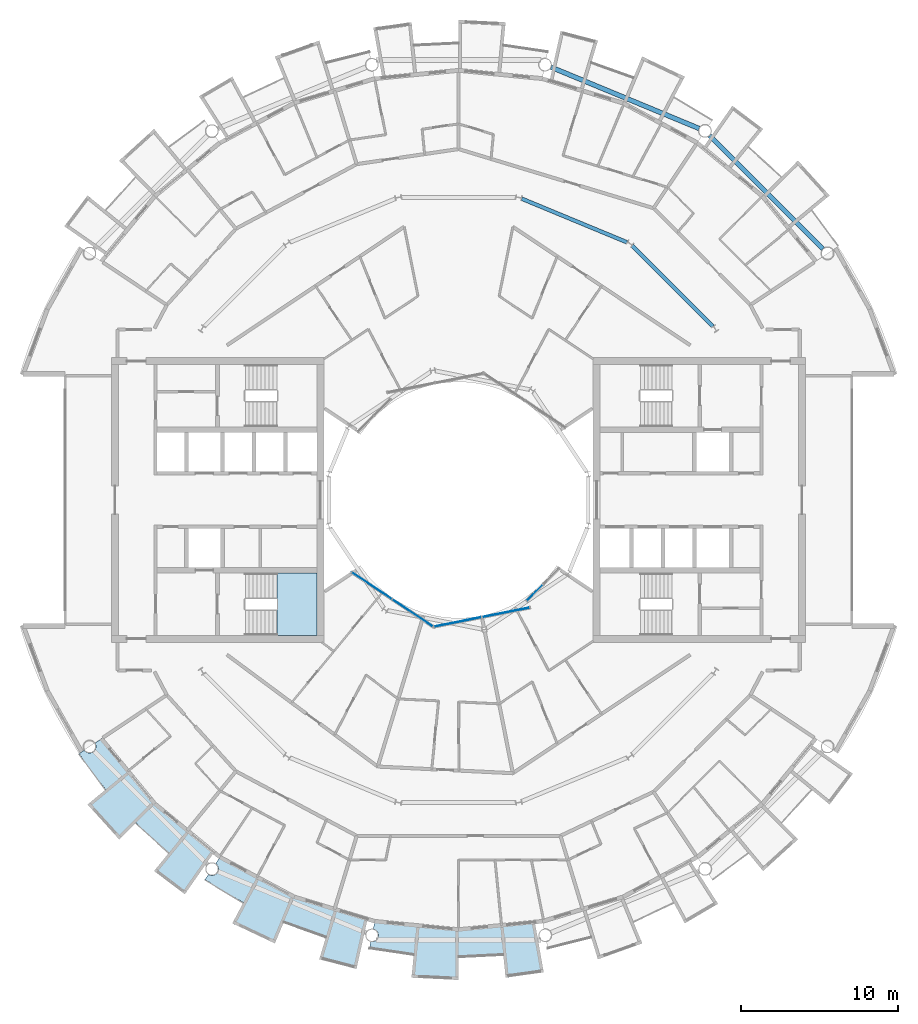
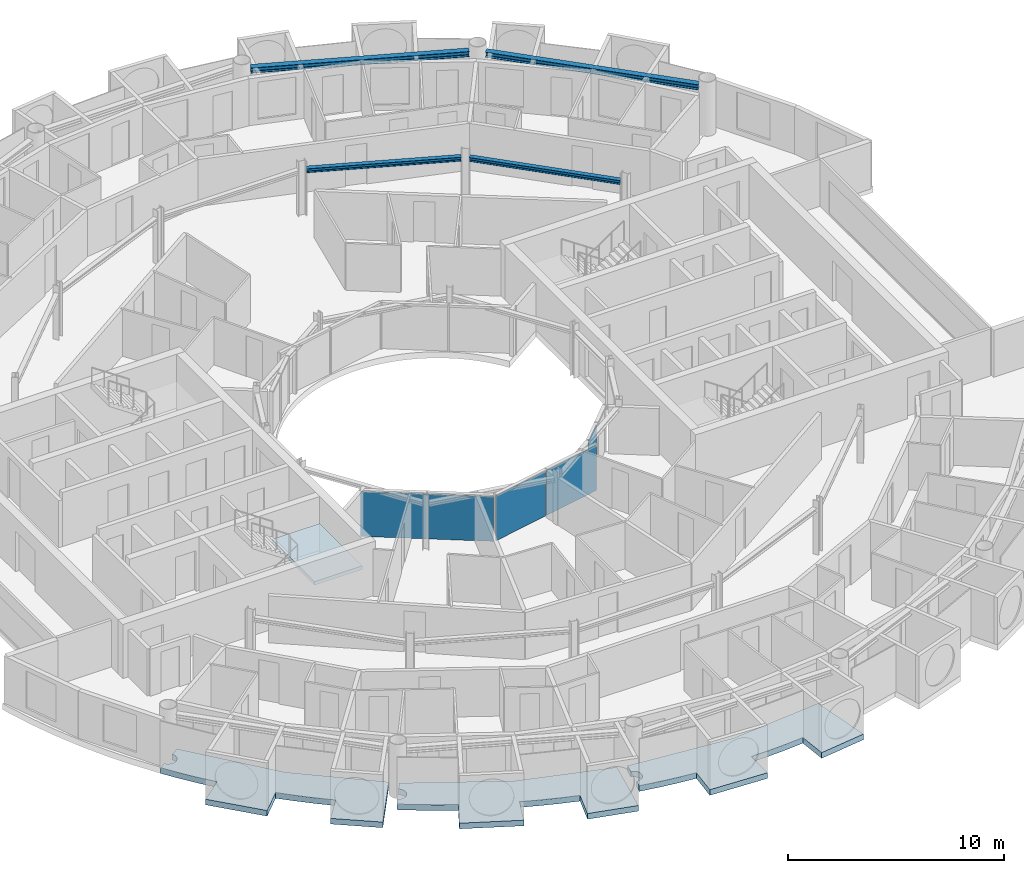
# One storey, part 11 of 28: 5 plates, 4 beams, 4 slabs, 4 elements without a shape of their own.
"""IFC4 building model written with IfcOpenShell, lengths in metres."""

from ifc_helpers import new_model, si_unit, direction, frame, origin, origin_2d, place, context, subcontext, project, spatial, polyline, rectangle, i_section, outline, extrude, material, layer, layer_set, material_profile, profile_set, type_object, element, aggregate, save


model = new_model("IFC4")

# Units and contexts
model_context = context("Model", 3, precision=1e-05, world=origin(), true_north=direction((0.0, 1.0)))
body_context = subcontext(model_context, "Body", "Model", "MODEL_VIEW")
ifc_project = project(units=[si_unit("LENGTHUNIT", "METRE"), si_unit("AREAUNIT", "SQUARE_METRE"), si_unit("VOLUMEUNIT", "CUBIC_METRE"), si_unit("PLANEANGLEUNIT", "RADIAN"), si_unit("MASSUNIT", "GRAM", prefix="KILO")], contexts=[model_context])

# Site, building, storey
site_placement = place(None, origin())
site = spatial("IfcSite", under=ifc_project, at=site_placement, CompositionType="ELEMENT")
building_placement = place(site_placement, origin())
building = spatial("IfcBuilding", under=site, at=building_placement, Name="Maasbend Ring Residences", CompositionType="ELEMENT")
storey_placement = place(building_placement, frame((0.0, 0.0, 218.800048828125)))
storey = spatial("IfcBuildingStorey", under=building, at=storey_placement, Name="L63", CompositionType="ELEMENT", Elevation=218.800048828125)

# Beams
ifc_material_1 = material(Name="Steel S355J2", Category="steel")
ifc_material_profile_1 = material_profile(ifc_material_1, i_section(OverallWidth=0.239990234375, OverallDepth=0.22998046875, WebThickness=0.007568359375, FlangeThickness=0.011962890625, FilletRadius=0.02099609375, at=origin_2d()), Name="HEA 240")
ifc_profile_set_1 = profile_set([ifc_material_profile_1], Name="Steel S355J2")
beam_type_1 = type_object("IfcBeamType", Name="Corridor ring beam HEA 240", PredefinedType="BEAM", material=ifc_profile_set_1)
beam_1_placement = place(storey_placement, frame((16.152587890625, 11.033447265625, 2.534912109375), z_axis=(-0.707106781187, 0.707106781187, 0.0), x_axis=(-0.707106781187, -0.707106781187, 0.0)))
element("IfcBeam", 1, at=beam_1_placement, inside=storey, type_object=beam_type_1, Name="Corridor ring beam", PredefinedType="BEAM", context=body_context, shape_type="SweptSolid", body=[
    extrude(i_section(OverallWidth=0.239990234375, OverallDepth=0.22998046875, WebThickness=0.007568359375, FlangeThickness=0.011962890625, FilletRadius=0.02099609375, at=origin_2d()), origin(), (0.0, 0.0, 1.0), 7.239501953125),
])
beam_2_placement = place(storey_placement, frame((10.70068359375, 16.374755859375, 2.534912109375), z_axis=(-0.923865162022, 0.382718123952, 0.0), x_axis=(-0.382718123952, -0.923865162022, 0.0)))
element("IfcBeam", 2, at=beam_2_placement, inside=storey, type_object=beam_type_1, Name="Corridor ring beam", PredefinedType="BEAM", context=body_context, shape_type="SweptSolid", body=[
    extrude(i_section(OverallWidth=0.239990234375, OverallDepth=0.22998046875, WebThickness=0.007568359375, FlangeThickness=0.011962890625, FilletRadius=0.02099609375, at=origin_2d()), origin(), (0.0, 0.0, 1.0), 7.23974609375),
])
ifc_material_2 = material(Name="Steel S355J2", Category="steel")
ifc_material_profile_2 = material_profile(ifc_material_2, i_section(OverallWidth=0.300048828125, OverallDepth=0.300048828125, WebThickness=0.010986328125, FlangeThickness=0.01904296875, FilletRadius=0.027099609375, at=origin_2d()), Name="HEB 300")
ifc_profile_set_2 = profile_set([ifc_material_profile_2], Name="Steel S355J2")
beam_type_2 = type_object("IfcBeamType", Name="Spandrel ring beam HEB 300", PredefinedType="SPANDREL", material=ifc_profile_set_2)
for number, where, z_axis, x_axis, name in (
    (3, (23.159912109375, 15.95458984375, 2.5), (-0.707106781187, 0.707106781187, 0.0), (-0.707106781187, -0.707106781187, 0.0), "Spandrel ring beam"),
    (4, (15.29150390625, 23.60302734375, 2.5), (-0.923883676188, 0.382673428492, 0.0), (-0.382673428492, -0.923883676188, 0.0), "Spandrel ring beam"),
):
    element("IfcBeam", number, at=place(storey_placement, frame(where, z_axis=z_axis, x_axis=x_axis)), inside=storey, type_object=beam_type_2, Name=name, PredefinedType="SPANDREL", context=body_context, shape_type="SweptSolid", body=[
        extrude(i_section(OverallWidth=0.300048828125, OverallDepth=0.300048828125, WebThickness=0.010986328125, FlangeThickness=0.01904296875, FilletRadius=0.027099609375, at=origin_2d()), origin(), (0.0, 0.0, 1.0), 10.18994140625),
    ])

# Stair, slab
ifc_material_3 = material(Name="Concrete C40/50", Category="concrete")
stair_type = type_object("IfcStairType", Name="CORE STAIR 18 RISERS", PredefinedType="HALF_TURN_STAIR", material=ifc_material_3)
stair_placement = place(storey_placement, origin())
stair = element("IfcStair", 5, at=stair_placement, inside=storey, type_object=stair_type, Name="L63 Exit stair ST-W1", PredefinedType="HALF_TURN_STAIR")
ifc_material_4 = material(Name="Concrete C40/50", Category="concrete")
ifc_layer_1 = layer(ifc_material_4, 0.199951171875)
ifc_layer_set_1 = layer_set([ifc_layer_1], Name="Concrete C40/50")
slab_type_1 = type_object("IfcSlabType", Name="CORE STAIR LANDING 200", PredefinedType="LANDING", material=ifc_layer_set_1)
slab_1_placement = place(storey_placement, frame((0.0, 0.0, 1.324951171875)))
slab_1 = element("IfcSlab", 6, at=slab_1_placement, type_object=slab_type_1, Name="ST-W1 landing 1", PredefinedType="LANDING", context=body_context, shape_type="SweptSolid", body=[
    extrude(outline(polyline([(-11.550048828125, -8.60009765625), (-9.0, -8.60009765625), (-9.0, -4.64990234375), (-11.550048828125, -4.64990234375), (-11.550048828125, -8.60009765625)])), origin(), (0.0, 0.0, 1.0), 0.199951171875),
])
aggregate(stair, [slab_1])

# Curtain wall, plates
ifc_material_5 = material(Name="Aluminium and clear glass", Category="aluminium")
ifc_layer_2 = layer(ifc_material_5, 0.179931640625)
ifc_layer_set_2 = layer_set([ifc_layer_2], Name="CW-W")
curtain_wall_type = type_object("IfcCurtainWallType", Name="CW-W", PredefinedType="NOTDEFINED", material=ifc_layer_set_2)
curtain_wall_1_placement = place(storey_placement, origin())
curtain_wall_1 = element("IfcCurtainWall", 7, at=curtain_wall_1_placement, inside=storey, type_object=curtain_wall_type, Name="Well curtain wall S1", PredefinedType="NOTDEFINED")
ifc_material_6 = material(Name="Glass clear laminated", Category="glass")
ifc_layer_3 = layer(ifc_material_6, 0.031982421875)
ifc_layer_set_3 = layer_set([ifc_layer_3], Name="CWP-W")
plate_type = type_object("IfcPlateType", Name="CWP-W", PredefinedType="CURTAIN_PANEL", material=ifc_layer_set_3)
plate_1_placement = place(storey_placement, frame((-5.51123046875, -5.44580078125, 0.0), z_axis=(0.0, 0.0, 1.0), x_axis=(0.831469612303, -0.55557023302, 0.0)))
plate_1 = element("IfcPlate", 8, at=plate_1_placement, type_object=plate_type, Name="Glass panel well face", PredefinedType="CURTAIN_PANEL", context=body_context, shape_type="SweptSolid", body=[
    extrude(rectangle(XDim=3.053955078125, YDim=0.031982421875, at=origin_2d()), origin(), (0.0, 0.0, 1.0), 2.530029296875),
])
plate_2_placement = place(storey_placement, frame((-2.922119140625, -7.17578125, 0.0), z_axis=(0.0, 0.0, 1.0), x_axis=(0.831469612303, -0.55557023302, 0.0)))
plate_2 = element("IfcPlate", 9, at=plate_2_placement, type_object=plate_type, Name="Glass panel well face", PredefinedType="CURTAIN_PANEL", context=body_context, shape_type="SweptSolid", body=[
    extrude(rectangle(XDim=3.053955078125, YDim=0.031982421875, at=origin_2d()), origin(), (0.0, 0.0, 1.0), 2.530029296875),
])
aggregate(curtain_wall_1, [plate_1, plate_2])

curtain_wall_2_placement = place(storey_placement, origin())
curtain_wall_2 = element("IfcCurtainWall", 10, at=curtain_wall_2_placement, inside=storey, type_object=curtain_wall_type, Name="Well curtain wall S2", PredefinedType="NOTDEFINED")
plate_3_placement = place(storey_placement, frame((-0.04638671875, -7.747802734375, 0.0), z_axis=(0.0, 0.0, 1.0), x_axis=(0.980785280403, 0.195090322016, 0.0)))
plate_3 = element("IfcPlate", 11, at=plate_3_placement, type_object=plate_type, Name="Glass panel well face", PredefinedType="CURTAIN_PANEL", context=body_context, shape_type="SweptSolid", body=[
    extrude(rectangle(XDim=3.053955078125, YDim=0.031982421875, at=origin_2d()), origin(), (0.0, 0.0, 1.0), 2.530029296875),
])
plate_4_placement = place(storey_placement, frame((3.0078125, -7.140380859375, 0.0), z_axis=(0.0, 0.0, 1.0), x_axis=(0.980785280403, 0.195090322016, 0.0)))
plate_4 = element("IfcPlate", 12, at=plate_4_placement, type_object=plate_type, Name="Glass panel well face", PredefinedType="CURTAIN_PANEL", context=body_context, shape_type="SweptSolid", body=[
    extrude(rectangle(XDim=3.053955078125, YDim=0.031982421875, at=origin_2d()), origin(), (0.0, 0.0, 1.0), 2.530029296875),
])
aggregate(curtain_wall_2, [plate_3, plate_4])

# Curtain wall, plate
curtain_wall_3_placement = place(storey_placement, origin())
curtain_wall_3 = element("IfcCurtainWall", 13, at=curtain_wall_3_placement, inside=storey, type_object=curtain_wall_type, Name="Well curtain wall S3", PredefinedType="NOTDEFINED")
plate_5_placement = place(storey_placement, frame((4.84375, -5.89013671875, 0.0), z_axis=(0.0, 0.0, 1.0), x_axis=(0.707106781187, 0.707106781187, 0.0)))
plate_5 = element("IfcPlate", 14, at=plate_5_placement, type_object=plate_type, Name="Glass panel well face", PredefinedType="CURTAIN_PANEL", context=body_context, shape_type="SweptSolid", body=[
    extrude(rectangle(XDim=1.419677734375, YDim=0.031982421875, at=origin_2d()), origin(), (0.0, 0.0, 1.0), 2.530029296875),
])
aggregate(curtain_wall_3, [plate_5])

# Slabs
ifc_material_7 = material(Name="Concrete C40/50", Category="concrete")
ifc_layer_4 = layer(ifc_material_7, 0.199951171875)
ifc_layer_set_4 = layer_set([ifc_layer_4], Name="Concrete C40/50")
slab_type_2 = type_object("IfcSlabType", Name="SL-LOGGIA", PredefinedType="FLOOR", material=ifc_layer_set_4)
slab_2_placement = place(storey_placement, frame((0.0, 0.0, -0.35009765625)))
element("IfcSlab", 15, at=slab_2_placement, inside=storey, type_object=slab_type_2, Name="Loggia floor 1", PredefinedType="FLOOR", context=body_context, shape_type="SweptSolid", body=[
    extrude(outline(polyline([(-15.866943359375, -23.801025390625), (-15.85888671875, -23.805908203125), (-15.85009765625, -23.81005859375), (-15.841064453125, -23.81494140625), (-15.83203125, -23.819091796875), (-15.822998046875, -23.822998046875), (-15.81298828125, -23.826904296875), (-15.803955078125, -23.830078125), (-15.794921875, -23.8330078125), (-15.784912109375, -23.8359375), (-15.77587890625, -23.839111328125), (-15.76611328125, -23.842041015625), (-15.756103515625, -23.843994140625), (-15.74609375, -23.845947265625), (-15.737060546875, -23.847900390625), (-15.72705078125, -23.85009765625), (-15.717041015625, -23.85107421875), (-15.70703125, -23.85205078125), (-15.697021484375, -23.85302734375), (-15.68701171875, -23.85302734375), (-15.677001953125, -23.85400390625), (-15.6669921875, -23.85400390625), (-15.656982421875, -23.85400390625), (-15.64697265625, -23.85302734375), (-15.636962890625, -23.85302734375), (-15.626953125, -23.85205078125), (-15.616943359375, -23.85107421875), (-15.60693359375, -23.85009765625), (-15.597900390625, -23.847900390625), (-15.587890625, -23.845947265625), (-15.577880859375, -23.843994140625), (-15.568115234375, -23.842041015625), (-15.55908203125, -23.839111328125), (-15.549072265625, -23.8359375), (-15.5400390625, -23.8330078125), (-15.530029296875, -23.830078125), (-15.52099609375, -23.826904296875), (-15.511962890625, -23.822998046875), (-15.501953125, -23.819091796875), (-15.492919921875, -23.81494140625), (-15.48388671875, -23.81005859375), (-15.47509765625, -23.805908203125), (-15.467041015625, -23.801025390625), (-15.4580078125, -23.7958984375), (-15.449951171875, -23.791015625), (-15.44091796875, -23.784912109375), (-15.43310546875, -23.780029296875), (-15.425048828125, -23.77392578125), (-15.4169921875, -23.76806640625), (-15.408935546875, -23.761962890625), (-15.402099609375, -23.7548828125), (-15.39404296875, -23.7490234375), (-15.386962890625, -23.741943359375), (-15.3798828125, -23.735107421875), (-15.373046875, -23.72802734375), (-15.365966796875, -23.719970703125), (-15.35888671875, -23.712890625), (-15.35302734375, -23.705078125), (-15.346923828125, -23.697021484375), (-15.341064453125, -23.68994140625), (-15.3349609375, -23.680908203125), (-15.3291015625, -23.673095703125), (-15.323974609375, -23.6650390625), (-15.318115234375, -23.656005859375), (-15.31298828125, -23.64794921875), (-15.30908203125, -23.638916015625), (-15.303955078125, -23.6298828125), (-15.300048828125, -23.62109375), (-15.294921875, -23.612060546875), (-15.2919921875, -23.60302734375), (-15.2880859375, -23.593994140625), (-15.283935546875, -23.583984375), (-15.281005859375, -23.574951171875), (-15.278076171875, -23.56494140625), (-15.27490234375, -23.555908203125), (-15.27294921875, -23.5458984375), (-15.27001953125, -23.535888671875), (-15.26806640625, -23.527099609375), (-15.26708984375, -23.51708984375), (-15.264892578125, -23.507080078125), (-15.263916015625, -23.4970703125), (-15.262939453125, -23.487060546875), (-15.261962890625, -23.47705078125), (-15.260986328125, -23.467041015625), (-15.260986328125, -23.45703125), (-15.260986328125, -23.447021484375), (-15.260986328125, -23.43701171875), (-15.260986328125, -23.427001953125), (-15.261962890625, -23.4169921875), (-15.262939453125, -23.407958984375), (-15.263916015625, -23.39794921875), (-15.264892578125, -23.387939453125), (-15.26708984375, -23.3779296875), (-15.26806640625, -23.367919921875), (-15.27001953125, -23.35791015625), (-15.27294921875, -23.34912109375), (-15.27490234375, -23.339111328125), (-15.278076171875, -23.3291015625), (-15.281005859375, -23.320068359375), (-15.283935546875, -23.31005859375), (-15.2880859375, -23.301025390625), (-15.2919921875, -23.2919921875), (-15.294921875, -23.282958984375), (-15.300048828125, -23.27392578125), (-15.303955078125, -23.264892578125), (-15.30908203125, -23.256103515625), (-15.31298828125, -23.2470703125), (-15.318115234375, -23.238037109375), (-15.323974609375, -23.22998046875), (-15.3291015625, -23.221923828125), (-15.3349609375, -23.212890625), (-15.341064453125, -23.205078125), (-15.346923828125, -23.197021484375), (-15.35302734375, -23.18994140625), (-15.35888671875, -23.181884765625), (-15.365966796875, -23.174072265625), (-15.373046875, -23.1669921875), (-15.3798828125, -23.159912109375), (-15.386962890625, -23.153076171875), (-15.39404296875, -23.14599609375), (-15.402099609375, -23.139892578125), (-15.408935546875, -23.133056640625), (-15.4169921875, -23.126953125), (-15.425048828125, -23.12109375), (-15.43310546875, -23.114990234375), (-15.44091796875, -23.10888671875), (-15.1669921875, -22.698974609375), (-15.1669921875, -22.698974609375), (-15.1669921875, -22.698974609375), (-12.806884765625, -23.9609375), (-10.447021484375, -25.221923828125), (-10.447021484375, -25.221923828125), (-10.447021484375, -25.221923828125), (-7.886962890625, -25.9990234375), (-5.797119140625, -26.633056640625), (-5.797119140625, -26.633056640625), (-5.797119140625, -26.633056640625), (-6.487060546875, -29.802001953125), (-6.487060546875, -29.802001953125), (-6.487060546875, -29.802001953125), (-8.85400390625, -29.18701171875), (-8.85400390625, -29.18701171875), (-8.85400390625, -29.18701171875), (-8.41796875, -27.751953125), (-8.41796875, -27.751953125), (-8.41796875, -27.751953125), (-8.41796875, -27.751953125), (-8.41796875, -27.751953125), (-8.41796875, -27.751953125), (-8.41796875, -27.7509765625), (-8.41796875, -27.7509765625), (-8.41796875, -27.7509765625), (-8.41796875, -27.7509765625), (-8.41796875, -27.7509765625), (-8.4189453125, -27.7509765625), (-8.4189453125, -27.7509765625), (-8.4189453125, -27.7509765625), (-8.4189453125, -27.7509765625), (-8.4189453125, -27.7509765625), (-8.4189453125, -27.7509765625), (-9.322021484375, -27.4609375), (-9.322021484375, -27.4609375), (-10.215087890625, -27.14111328125), (-10.215087890625, -27.14111328125), (-11.096923828125, -26.79296875), (-11.096923828125, -26.79296875), (-11.096923828125, -26.79296875), (-11.097900390625, -26.79296875), (-11.097900390625, -26.79296875), (-11.097900390625, -26.79296875), (-11.097900390625, -26.79296875), (-11.097900390625, -26.79296875), (-11.097900390625, -26.79296875), (-11.097900390625, -26.79296875), (-11.097900390625, -26.79296875), (-11.097900390625, -26.79296875), (-11.097900390625, -26.79296875), (-11.097900390625, -26.79296875), (-11.097900390625, -26.79296875), (-11.097900390625, -26.79296875), (-11.097900390625, -26.79296875), (-11.672119140625, -28.177978515625), (-11.672119140625, -28.177978515625), (-11.672119140625, -28.177978515625), (-14.3779296875, -26.89892578125), (-14.3779296875, -26.89892578125), (-14.3779296875, -26.89892578125), (-13.6708984375, -25.575927734375), (-13.6708984375, -25.575927734375), (-13.6708984375, -25.575927734375), (-13.6708984375, -25.575927734375), (-13.6708984375, -25.575927734375), (-13.6708984375, -25.575927734375), (-13.6708984375, -25.575927734375), (-13.6708984375, -25.575927734375), (-13.6708984375, -25.575927734375), (-13.6708984375, -25.575927734375), (-13.6708984375, -25.575927734375), (-13.6708984375, -25.575927734375), (-13.6708984375, -25.575927734375), (-13.6708984375, -25.575927734375), (-13.6708984375, -25.575927734375), (-13.6708984375, -25.575927734375), (-13.6708984375, -25.574951171875), (-14.5, -25.114990234375), (-14.5, -25.114990234375), (-15.31396484375, -24.626953125), (-15.31396484375, -24.626953125), (-16.112060546875, -24.113037109375), (-16.112060546875, -24.113037109375), (-16.112060546875, -24.113037109375), (-15.89306640625, -23.784912109375), (-15.885009765625, -23.791015625), (-15.8759765625, -23.7958984375), (-15.866943359375, -23.801025390625)])), origin(), (0.0, 0.0, 1.0), 0.320068359375),
])
slab_3_placement = place(storey_placement, frame((0.0, 0.0, -0.35009765625)))
element("IfcSlab", 16, at=slab_3_placement, inside=storey, type_object=slab_type_2, Name="Loggia floor 3", PredefinedType="FLOOR", context=body_context, shape_type="SweptSolid", body=[
    extrude(outline(polyline([(-2.6630859375, -27.0380859375), (0.0, -27.300048828125), (0.0, -27.300048828125), (0.0, -27.300048828125), (2.6630859375, -27.0380859375), (4.8359375, -26.823974609375), (4.8359375, -26.823974609375), (4.8359375, -26.823974609375), (5.412109375, -30.01611328125), (5.412109375, -30.01611328125), (5.412109375, -30.01611328125), (2.989990234375, -30.35302734375), (2.989990234375, -30.35302734375), (2.989990234375, -30.35302734375), (2.843017578125, -28.861083984375), (2.843017578125, -28.861083984375), (2.843017578125, -28.861083984375), (2.843017578125, -28.861083984375), (2.842041015625, -28.861083984375), (2.842041015625, -28.861083984375), (2.842041015625, -28.861083984375), (2.842041015625, -28.861083984375), (2.842041015625, -28.861083984375), (2.842041015625, -28.860107421875), (2.842041015625, -28.860107421875), (2.842041015625, -28.860107421875), (2.842041015625, -28.860107421875), (2.842041015625, -28.860107421875), (2.842041015625, -28.860107421875), (2.842041015625, -28.860107421875), (2.842041015625, -28.860107421875), (1.89697265625, -28.93798828125), (1.89697265625, -28.93798828125), (0.948974609375, -28.98388671875), (0.948974609375, -28.98388671875), (0.0, -29.0), (0.0, -29.0), (0.0, -29.0), (0.0, -29.0), (0.0, -29.0), (0.0, -29.0), (0.0, -29.0), (0.0, -29.0), (0.0, -29.0), (0.0, -29.0), (0.0, -29.0), (0.0, -29.0), (0.0, -29.0), (0.0, -29.0), (0.0, -29.0), (0.0, -29.0), (0.0, -29.0), (0.0, -30.5), (0.0, -30.5), (0.0, -30.5), (-2.989990234375, -30.35302734375), (-2.989990234375, -30.35302734375), (-2.989990234375, -30.35302734375), (-2.843017578125, -28.861083984375), (-2.843017578125, -28.861083984375), (-2.843017578125, -28.861083984375), (-2.843017578125, -28.861083984375), (-2.843017578125, -28.861083984375), (-2.843017578125, -28.861083984375), (-2.843017578125, -28.861083984375), (-2.843017578125, -28.861083984375), (-2.843017578125, -28.860107421875), (-2.843017578125, -28.860107421875), (-2.843017578125, -28.860107421875), (-2.843017578125, -28.860107421875), (-2.843017578125, -28.860107421875), (-2.843017578125, -28.860107421875), (-2.843017578125, -28.860107421875), (-2.843017578125, -28.860107421875), (-2.843017578125, -28.860107421875), (-3.784912109375, -28.751953125), (-3.784912109375, -28.751953125), (-4.72412109375, -28.613037109375), (-4.72412109375, -28.613037109375), (-5.657958984375, -28.443115234375), (-5.657958984375, -28.443115234375), (-5.657958984375, -28.443115234375), (-5.5810546875, -28.056884765625), (-5.5810546875, -28.056884765625), (-5.571044921875, -28.05908203125), (-5.56103515625, -28.06005859375), (-5.551025390625, -28.06201171875), (-5.541015625, -28.06298828125), (-5.531005859375, -28.06298828125), (-5.52099609375, -28.06396484375), (-5.510986328125, -28.06396484375), (-5.501953125, -28.06494140625), (-5.491943359375, -28.06396484375), (-5.48193359375, -28.06396484375), (-5.471923828125, -28.06298828125), (-5.4619140625, -28.06298828125), (-5.451904296875, -28.06201171875), (-5.44189453125, -28.06005859375), (-5.431884765625, -28.05908203125), (-5.422119140625, -28.056884765625), (-5.412109375, -28.054931640625), (-5.403076171875, -28.052001953125), (-5.39306640625, -28.050048828125), (-5.383056640625, -28.047119140625), (-5.3740234375, -28.0439453125), (-5.364990234375, -28.041015625), (-5.35498046875, -28.037109375), (-5.345947265625, -28.033935546875), (-5.3369140625, -28.030029296875), (-5.327880859375, -28.02587890625), (-5.319091796875, -28.02099609375), (-5.31005859375, -28.01708984375), (-5.301025390625, -28.011962890625), (-5.29296875, -28.007080078125), (-5.283935546875, -28.001953125), (-5.27587890625, -27.99609375), (-5.26708984375, -27.989990234375), (-5.259033203125, -27.985107421875), (-5.2509765625, -27.97900390625), (-5.243896484375, -27.971923828125), (-5.236083984375, -27.966064453125), (-5.22900390625, -27.958984375), (-5.220947265625, -27.952880859375), (-5.214111328125, -27.946044921875), (-5.20703125, -27.93798828125), (-5.199951171875, -27.930908203125), (-5.194091796875, -27.924072265625), (-5.18701171875, -27.916015625), (-5.180908203125, -27.907958984375), (-5.175048828125, -27.89990234375), (-5.1689453125, -27.89208984375), (-5.1640625, -27.884033203125), (-5.157958984375, -27.8759765625), (-5.153076171875, -27.866943359375), (-5.14794921875, -27.85791015625), (-5.14306640625, -27.85009765625), (-5.137939453125, -27.841064453125), (-5.134033203125, -27.83203125), (-5.1298828125, -27.822998046875), (-5.1259765625, -27.81396484375), (-5.1220703125, -27.803955078125), (-5.118896484375, -27.794921875), (-5.115966796875, -27.785888671875), (-5.113037109375, -27.77587890625), (-5.110107421875, -27.76708984375), (-5.10693359375, -27.757080078125), (-5.10498046875, -27.7470703125), (-5.10302734375, -27.737060546875), (-5.10107421875, -27.72802734375), (-5.09912109375, -27.718017578125), (-5.097900390625, -27.7080078125), (-5.096923828125, -27.697998046875), (-5.095947265625, -27.68798828125), (-5.094970703125, -27.677978515625), (-5.094970703125, -27.66796875), (-5.094970703125, -27.657958984375), (-5.094970703125, -27.64794921875), (-5.094970703125, -27.637939453125), (-5.095947265625, -27.6279296875), (-5.096923828125, -27.617919921875), (-5.097900390625, -27.60791015625), (-5.09912109375, -27.597900390625), (-5.10107421875, -27.589111328125), (-5.10302734375, -27.5791015625), (-5.10498046875, -27.569091796875), (-5.10693359375, -27.55908203125), (-5.110107421875, -27.550048828125), (-5.113037109375, -27.5400390625), (-5.115966796875, -27.531005859375), (-5.118896484375, -27.52099609375), (-5.1220703125, -27.511962890625), (-5.1259765625, -27.5029296875), (-5.1298828125, -27.492919921875), (-5.134033203125, -27.48388671875), (-5.137939453125, -27.47509765625), (-5.14306640625, -27.466064453125), (-5.14794921875, -27.4580078125), (-5.153076171875, -27.448974609375), (-5.157958984375, -27.44091796875), (-5.1640625, -27.431884765625), (-5.1689453125, -27.424072265625), (-5.175048828125, -27.416015625), (-5.180908203125, -27.407958984375), (-5.18701171875, -27.39990234375), (-5.194091796875, -27.39306640625), (-5.199951171875, -27.385009765625), (-5.20703125, -27.3779296875), (-5.214111328125, -27.37109375), (-5.220947265625, -27.364013671875), (-5.22900390625, -27.35693359375), (-5.236083984375, -27.35009765625), (-5.243896484375, -27.343994140625), (-5.2509765625, -27.337890625), (-5.259033203125, -27.33203125), (-5.26708984375, -27.325927734375), (-5.27587890625, -27.320068359375), (-5.283935546875, -27.31494140625), (-5.29296875, -27.30908203125), (-5.301025390625, -27.303955078125), (-5.31005859375, -27.300048828125), (-5.319091796875, -27.294921875), (-5.327880859375, -27.291015625), (-5.3369140625, -27.285888671875), (-5.345947265625, -27.282958984375), (-5.35498046875, -27.279052734375), (-5.364990234375, -27.27490234375), (-5.3740234375, -27.27197265625), (-5.383056640625, -27.26904296875), (-5.39306640625, -27.26611328125), (-5.403076171875, -27.263916015625), (-5.412109375, -27.260986328125), (-5.422119140625, -27.259033203125), (-5.422119140625, -27.259033203125), (-5.325927734375, -26.77490234375), (-5.325927734375, -26.77490234375), (-5.325927734375, -26.77490234375), (-2.6630859375, -27.0380859375)])), origin(), (0.0, 0.0, 1.0), 0.320068359375),
])
slab_4_placement = place(storey_placement, frame((0.0, 0.0, -0.35009765625)))
element("IfcSlab", 17, at=slab_4_placement, inside=storey, type_object=slab_type_2, Name="Loggia floor 4", PredefinedType="FLOOR", context=body_context, shape_type="SweptSolid", body=[
    extrude(outline(polyline([(-23.77392578125, -15.908935546875), (-23.76806640625, -15.9169921875), (-23.761962890625, -15.925048828125), (-23.7548828125, -15.93310546875), (-23.7490234375, -15.93994140625), (-23.741943359375, -15.947021484375), (-23.735107421875, -15.955078125), (-23.72802734375, -15.9619140625), (-23.719970703125, -15.968017578125), (-23.712890625, -15.97509765625), (-23.705078125, -15.98095703125), (-23.697021484375, -15.988037109375), (-23.68994140625, -15.993896484375), (-23.680908203125, -15.9990234375), (-23.673095703125, -16.0048828125), (-23.6650390625, -16.010986328125), (-23.656005859375, -16.01611328125), (-23.64794921875, -16.02099609375), (-23.638916015625, -16.02587890625), (-23.6298828125, -16.030029296875), (-23.62109375, -16.034912109375), (-23.612060546875, -16.0390625), (-23.60302734375, -16.04296875), (-23.593994140625, -16.0458984375), (-23.583984375, -16.050048828125), (-23.574951171875, -16.052978515625), (-23.56494140625, -16.055908203125), (-23.555908203125, -16.05908203125), (-23.5458984375, -16.06103515625), (-23.535888671875, -16.06396484375), (-23.527099609375, -16.06591796875), (-23.51708984375, -16.068115234375), (-23.507080078125, -16.069091796875), (-23.4970703125, -16.071044921875), (-23.487060546875, -16.072021484375), (-23.47705078125, -16.072021484375), (-23.467041015625, -16.072998046875), (-23.45703125, -16.072998046875), (-23.447021484375, -16.073974609375), (-23.43701171875, -16.072998046875), (-23.427001953125, -16.072998046875), (-23.4169921875, -16.072021484375), (-23.407958984375, -16.072021484375), (-23.39794921875, -16.071044921875), (-23.387939453125, -16.069091796875), (-23.3779296875, -16.068115234375), (-23.367919921875, -16.06591796875), (-23.35791015625, -16.06396484375), (-23.34912109375, -16.06103515625), (-23.339111328125, -16.05908203125), (-23.3291015625, -16.055908203125), (-23.320068359375, -16.052978515625), (-23.31005859375, -16.050048828125), (-23.301025390625, -16.0458984375), (-23.2919921875, -16.04296875), (-23.282958984375, -16.0390625), (-23.27392578125, -16.034912109375), (-23.264892578125, -16.030029296875), (-23.256103515625, -16.02587890625), (-23.2470703125, -16.02099609375), (-23.238037109375, -16.01611328125), (-23.22998046875, -16.010986328125), (-23.221923828125, -16.0048828125), (-23.212890625, -15.9990234375), (-23.205078125, -15.993896484375), (-23.197021484375, -15.988037109375), (-23.18994140625, -15.98095703125), (-23.181884765625, -15.97509765625), (-23.174072265625, -15.968017578125), (-23.1669921875, -15.9619140625), (-23.159912109375, -15.955078125), (-23.153076171875, -15.947021484375), (-23.14599609375, -15.93994140625), (-23.139892578125, -15.93310546875), (-23.133056640625, -15.925048828125), (-23.126953125, -15.9169921875), (-23.12109375, -15.908935546875), (-23.114990234375, -15.90087890625), (-23.10888671875, -15.89306640625), (-23.10400390625, -15.885009765625), (-23.09912109375, -15.8759765625), (-23.093994140625, -15.866943359375), (-23.089111328125, -15.85888671875), (-23.083984375, -15.85009765625), (-23.080078125, -15.841064453125), (-23.075927734375, -15.83203125), (-23.072021484375, -15.822998046875), (-23.068115234375, -15.81298828125), (-23.06494140625, -15.803955078125), (-23.06103515625, -15.794921875), (-23.05810546875, -15.784912109375), (-23.055908203125, -15.77587890625), (-23.052978515625, -15.76611328125), (-23.051025390625, -15.756103515625), (-23.049072265625, -15.74609375), (-23.047119140625, -15.737060546875), (-23.044921875, -15.72705078125), (-23.0439453125, -15.717041015625), (-23.04296875, -15.70703125), (-23.0419921875, -15.697021484375), (-23.041015625, -15.68701171875), (-23.041015625, -15.677001953125), (-23.041015625, -15.6669921875), (-23.041015625, -15.656982421875), (-23.041015625, -15.64697265625), (-23.0419921875, -15.636962890625), (-23.04296875, -15.626953125), (-23.0439453125, -15.616943359375), (-23.044921875, -15.60693359375), (-23.047119140625, -15.597900390625), (-23.049072265625, -15.587890625), (-23.051025390625, -15.577880859375), (-23.052978515625, -15.568115234375), (-23.055908203125, -15.55908203125), (-23.05810546875, -15.549072265625), (-23.06103515625, -15.5400390625), (-23.06494140625, -15.530029296875), (-23.068115234375, -15.52099609375), (-23.072021484375, -15.511962890625), (-23.075927734375, -15.501953125), (-23.080078125, -15.492919921875), (-23.083984375, -15.48388671875), (-23.089111328125, -15.47509765625), (-23.093994140625, -15.467041015625), (-23.09912109375, -15.4580078125), (-23.10400390625, -15.449951171875), (-23.10888671875, -15.44091796875), (-23.10888671875, -15.44091796875), (-22.698974609375, -15.1669921875), (-22.698974609375, -15.1669921875), (-22.698974609375, -15.1669921875), (-21.001953125, -17.236083984375), (-19.303955078125, -19.303955078125), (-19.303955078125, -19.303955078125), (-19.303955078125, -19.303955078125), (-17.236083984375, -21.001953125), (-15.547119140625, -22.386962890625), (-15.547119140625, -22.386962890625), (-15.547119140625, -22.386962890625), (-17.39794921875, -25.051025390625), (-17.39794921875, -25.051025390625), (-17.39794921875, -25.051025390625), (-19.34912109375, -23.576904296875), (-19.34912109375, -23.576904296875), (-19.34912109375, -23.576904296875), (-18.39794921875, -22.41796875), (-18.39794921875, -22.41796875), (-18.39794921875, -22.41796875), (-18.39794921875, -22.41796875), (-18.39794921875, -22.41796875), (-18.39794921875, -22.4169921875), (-18.39794921875, -22.4169921875), (-18.39794921875, -22.4169921875), (-18.39794921875, -22.4169921875), (-18.39794921875, -22.4169921875), (-18.39794921875, -22.4169921875), (-18.39794921875, -22.4169921875), (-18.39794921875, -22.4169921875), (-18.39794921875, -22.4169921875), (-18.39794921875, -22.4169921875), (-18.39794921875, -22.4169921875), (-18.39794921875, -22.4169921875), (-19.12109375, -21.802978515625), (-19.12109375, -21.802978515625), (-19.823974609375, -21.166015625), (-19.823974609375, -21.166015625), (-20.506103515625, -20.506103515625), (-20.506103515625, -20.506103515625), (-20.506103515625, -20.506103515625), (-20.506103515625, -20.506103515625), (-20.506103515625, -20.506103515625), (-20.506103515625, -20.506103515625), (-20.506103515625, -20.506103515625), (-20.506103515625, -20.506103515625), (-20.506103515625, -20.506103515625), (-20.506103515625, -20.506103515625), (-20.506103515625, -20.506103515625), (-20.506103515625, -20.506103515625), (-20.506103515625, -20.506103515625), (-20.506103515625, -20.506103515625), (-20.506103515625, -20.506103515625), (-20.506103515625, -20.506103515625), (-20.506103515625, -20.506103515625), (-21.56689453125, -21.56689453125), (-21.56689453125, -21.56689453125), (-21.56689453125, -21.56689453125), (-23.576904296875, -19.34912109375), (-23.576904296875, -19.34912109375), (-23.576904296875, -19.34912109375), (-22.41796875, -18.39794921875), (-22.41796875, -18.39794921875), (-22.41796875, -18.39794921875), (-22.41796875, -18.39794921875), (-22.41796875, -18.39794921875), (-22.41796875, -18.39794921875), (-22.41796875, -18.39697265625), (-22.41796875, -18.39697265625), (-22.41796875, -18.39697265625), (-22.41796875, -18.39697265625), (-22.41796875, -18.39697265625), (-22.41796875, -18.39697265625), (-22.41796875, -18.39697265625), (-22.41796875, -18.39697265625), (-22.41796875, -18.39697265625), (-22.41796875, -18.39697265625), (-22.41796875, -18.39697265625), (-23.007080078125, -17.654052734375), (-23.007080078125, -17.654052734375), (-23.572998046875, -16.89208984375), (-23.572998046875, -16.89208984375), (-24.113037109375, -16.112060546875), (-24.113037109375, -16.112060546875), (-24.113037109375, -16.112060546875), (-23.784912109375, -15.89306640625), (-23.784912109375, -15.89306640625), (-23.780029296875, -15.90087890625), (-23.77392578125, -15.908935546875)])), origin(), (0.0, 0.0, 1.0), 0.320068359375),
])

save(model, "model.ifc")
